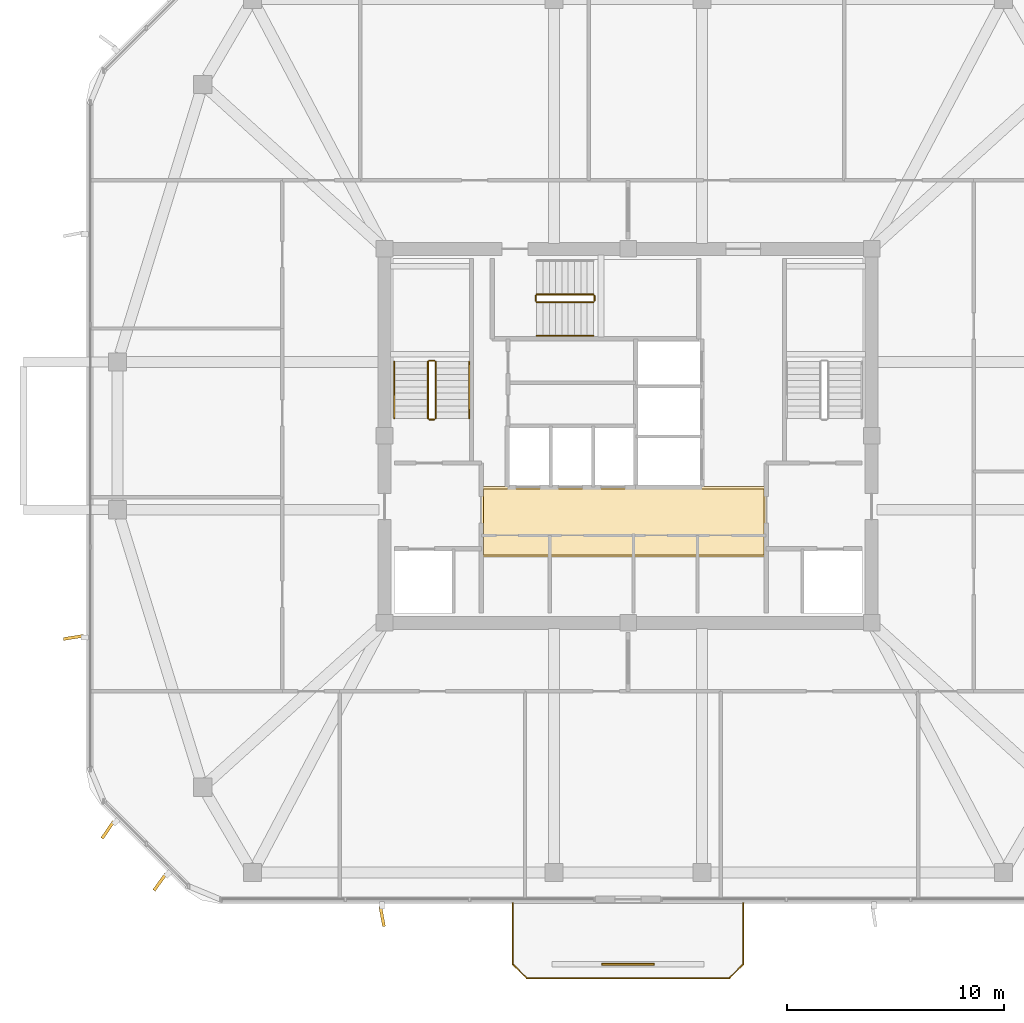
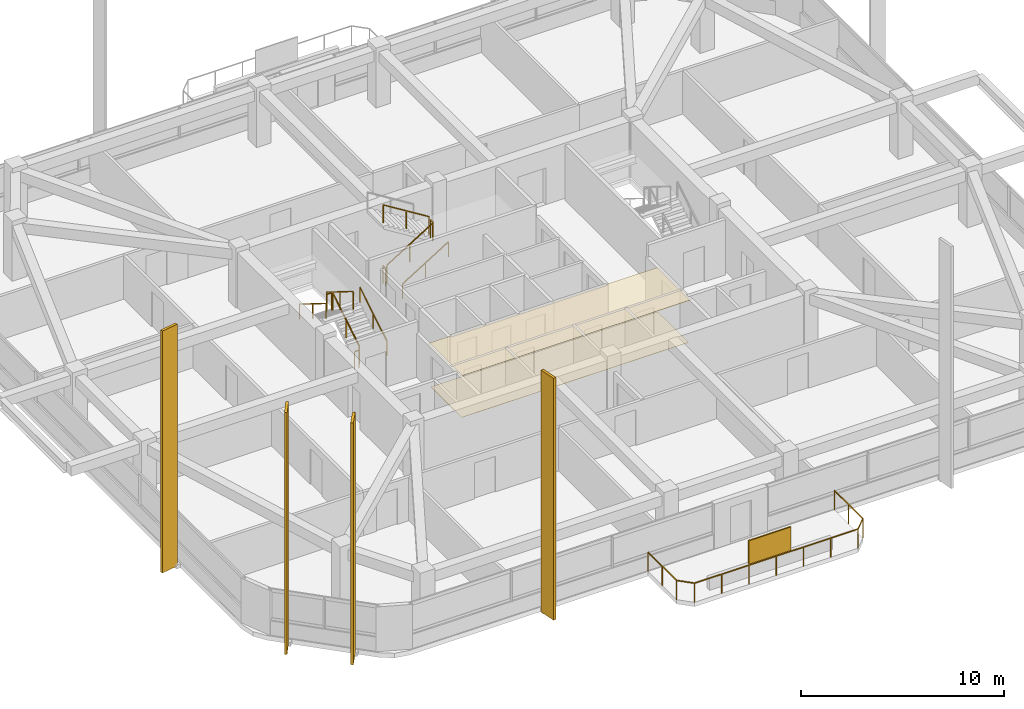
# One storey, part 10 of 12: 12 railings, 5 shading devices, 2 coverings.
"""IFC4 building model written with IfcOpenShell, lengths in metres."""

from ifc_helpers import new_model, si_unit, derived_unit, direction, frame, origin, origin_2d, place, context, subcontext, project, spatial, polyline, rectangle, outline, extrude, material, layer, layer_set, type_object, element, save


model = new_model("IFC4")

# Units and contexts
model_context = context("Model", 3, precision=1e-05, world=origin(), true_north=direction((0.0, 1.0)))
body_context = subcontext(model_context, "Body", "Model", "MODEL_VIEW")
ifc_project = project(units=[si_unit("LENGTHUNIT", "METRE"), si_unit("AREAUNIT", "SQUARE_METRE"), si_unit("VOLUMEUNIT", "CUBIC_METRE"), si_unit("PLANEANGLEUNIT", "RADIAN"), si_unit("MASSUNIT", "GRAM", prefix="KILO"), derived_unit("THERMALTRANSMITTANCEUNIT", [(si_unit("POWERUNIT", "WATT"), 1), (si_unit("LENGTHUNIT", "METRE"), -2), (si_unit("THERMODYNAMICTEMPERATUREUNIT", "KELVIN"), -1)])], contexts=[model_context])

# Site, building, storey
site_placement = place(None, origin())
site = spatial("IfcSite", under=ifc_project, at=site_placement, CompositionType="ELEMENT")
building_placement = place(site_placement, origin())
building = spatial("IfcBuilding", under=site, at=building_placement, Name="Koralith Skygarden Medical Center", CompositionType="ELEMENT")
storey_placement = place(building_placement, frame((0.0, 0.0, 268.02001953125)))
storey = spatial("IfcBuildingStorey", under=building, at=storey_placement, Name="L69", CompositionType="ELEMENT", Elevation=268.02001953125)

# Covering
ifc_material_1 = material(Name="Acoustic Mineral Tile")
ifc_layer_1 = layer(ifc_material_1, 0.02001953125)
ifc_layer_set_1 = layer_set([ifc_layer_1], Name="Acoustic Mineral Tile")
covering_type_1 = type_object("IfcCoveringType", Name="Acoustic Hygienic Mineral Ceiling 20", PredefinedType="CEILING", material=ifc_layer_set_1)
covering_1_placement = place(storey_placement, frame((0.0, 0.0, 2.5849609375)))
element("IfcCovering", 1, at=covering_1_placement, inside=storey, type_object=covering_type_1, Name="L69 Core Lobby Acoustic Ceiling", PredefinedType="CEILING", context=body_context, shape_type="SweptSolid", body=[
    extrude(outline(polyline([(30.25, 20.320068359375), (43.35009765625, 20.320068359375), (43.35009765625, 23.56005859375), (30.25, 23.56005859375), (30.25, 20.320068359375)])), origin(), (0.0, 0.0, 1.0), 0.02001953125),
])

# Shading devices
ifc_material_2 = material(Name="Aluminium 6063-T6", Category="aluminium")
shading_device_type_1 = type_object("IfcShadingDeviceType", Name="Limestone-Clad Solar Storm Fin 950", PredefinedType="USERDEFINED", material=ifc_material_2)
for number, where, z_axis, x_axis, name in (
    (2, (25.68994140625, 3.804931640625, -0.2001953125), (0.0, 0.0, 1.0), (0.18455175729, -0.982822796277, 0.0), "L69 S Harmonic Solar Storm Fin 1"),
    (3, (11.5048828125, 16.6298828125, -0.2001953125), (0.0, 0.0, 1.0), (-0.987375131968, -0.158399333239, 0.0), "L69 W Harmonic Solar Storm Fin 2"),
    (4, (13.080078125, 7.778076171875, -0.2001953125), (0.0, 0.0, 1.0), (-0.564462864892, -0.825458463012, 0.0), "L69 SW Harmonic Solar Storm Fin 1"),
    (5, (15.47802734375, 5.3798828125, -0.2001953125), (0.0, 0.0, 1.0), (-0.586174408721, -0.810184894058, 0.0), "L69 SW Harmonic Solar Storm Fin 2"),
):
    element("IfcShadingDevice", number, at=place(storey_placement, frame(where, z_axis=z_axis, x_axis=x_axis)), inside=storey, type_object=shading_device_type_1, Name=name, ObjectType="SOLAR FIN", PredefinedType="USERDEFINED", context=body_context, shape_type="SweptSolid", body=[
        extrude(rectangle(XDim=0.949951171875, YDim=0.139892578125, at=origin_2d()), origin(), (0.0, 0.0, 1.0), 14.550048828125),
    ])

# Railing
ifc_material_3 = material(Name="Steel ASTM A500 Grade C", Category="steel")
railing_type_1 = type_object("IfcRailingType", Name="Outdoor Terrace & Balcony Safety Guardrail 1180", PredefinedType="GUARDRAIL", material=ifc_material_3)
railing_1_placement = place(storey_placement, frame((31.699951171875, 4.39990234375, 0.0)))
element("IfcRailing", 6, at=railing_1_placement, inside=storey, type_object=railing_type_1, Name="L69 S Balcony Perimeter Guardrail", PredefinedType="GUARDRAIL", context=body_context, shape_type="SweptSolid", body=[
    extrude(rectangle(XDim=0.050048828125, YDim=0.050048828125, at=origin_2d()), frame((0.0, -0.001953125, 1.15478515625), z_axis=(0.0, -1.0, 0.0), x_axis=(1.0, 0.0, 0.0)), (0.0, 0.0, 1.0), 2.7958984375),
    extrude(rectangle(XDim=0.050048828125, YDim=0.050048828125, at=origin_2d()), frame((0.00146484375, -2.80126953125, 1.15478515625), z_axis=(0.707106781187, -0.707106781187, 0.0), x_axis=(0.707106781187, 0.707106781187, 0.0)), (0.0, 0.0, 1.0), 0.91552734375),
    extrude(rectangle(XDim=0.050048828125, YDim=0.050048828125, at=origin_2d()), frame((0.652099609375, -3.449951171875, 1.15478515625), z_axis=(1.0, 0.0, 0.0), x_axis=(0.0, 1.0, 0.0)), (0.0, 0.0, 1.0), 9.2958984375),
    extrude(rectangle(XDim=0.050048828125, YDim=0.050048828125, at=origin_2d()), frame((9.951416015625, -3.448486328125, 1.15478515625), z_axis=(0.707106781187, 0.707106781187, 0.0), x_axis=(-0.707106781187, 0.707106781187, 0.0)), (0.0, 0.0, 1.0), 0.91552734375),
    extrude(rectangle(XDim=0.050048828125, YDim=0.050048828125, at=origin_2d()), frame((10.60009765625, -2.7978515625, 1.15478515625), z_axis=(0.0, 1.0, 0.0), x_axis=(-1.0, 0.0, 0.0)), (0.0, 0.0, 1.0), 2.7958984375),
    extrude(rectangle(XDim=0.0419921875, YDim=0.0419921875, at=origin_2d()), origin(), (0.0, 0.0, 1.0), 1.1279296875),
    extrude(rectangle(XDim=0.0419921875, YDim=0.0419921875, at=origin_2d()), frame((0.0, -1.39990234375, 0.0)), (0.0, 0.0, 1.0), 1.1279296875),
    extrude(rectangle(XDim=0.0419921875, YDim=0.0419921875, at=origin_2d()), frame((0.0, -2.7998046875, 0.0)), (0.0, 0.0, 1.0), 1.1279296875),
    extrude(rectangle(XDim=0.0419921875, YDim=0.0419921875, at=origin_2d()), frame((0.650146484375, -3.449951171875, 0.0)), (0.0, 0.0, 1.0), 1.1279296875),
    extrude(rectangle(XDim=0.0419921875, YDim=0.0419921875, at=origin_2d()), frame((2.2001953125, -3.449951171875, 0.0)), (0.0, 0.0, 1.0), 1.1279296875),
    extrude(rectangle(XDim=0.0419921875, YDim=0.0419921875, at=origin_2d()), frame((3.75, -3.449951171875, 0.0)), (0.0, 0.0, 1.0), 1.1279296875),
    extrude(rectangle(XDim=0.0419921875, YDim=0.0419921875, at=origin_2d()), frame((5.300048828125, -3.449951171875, 0.0)), (0.0, 0.0, 1.0), 1.1279296875),
    extrude(rectangle(XDim=0.0419921875, YDim=0.0419921875, at=origin_2d()), frame((6.85009765625, -3.449951171875, 0.0)), (0.0, 0.0, 1.0), 1.1279296875),
    extrude(rectangle(XDim=0.0419921875, YDim=0.0419921875, at=origin_2d()), frame((8.39990234375, -3.449951171875, 0.0)), (0.0, 0.0, 1.0), 1.1279296875),
    extrude(rectangle(XDim=0.0419921875, YDim=0.0419921875, at=origin_2d()), frame((9.949951171875, -3.449951171875, 0.0)), (0.0, 0.0, 1.0), 1.1279296875),
    extrude(rectangle(XDim=0.0419921875, YDim=0.0419921875, at=origin_2d()), frame((10.60009765625, -2.7998046875, 0.0)), (0.0, 0.0, 1.0), 1.1279296875),
    extrude(rectangle(XDim=0.0419921875, YDim=0.0419921875, at=origin_2d()), frame((10.60009765625, -1.39990234375, 0.0)), (0.0, 0.0, 1.0), 1.1279296875),
    extrude(rectangle(XDim=0.0419921875, YDim=0.0419921875, at=origin_2d()), frame((10.60009765625, 0.0, 0.0)), (0.0, 0.0, 1.0), 1.1279296875),
])

# Shading device
ifc_layer_2 = layer(ifc_material_2, 0.080078125)
ifc_layer_set_2 = layer_set([ifc_layer_2], Name="Aluminium 6063-T6")
shading_device_type_2 = type_object("IfcShadingDeviceType", Name="Perforated Biophilic Balcony Trellis Screen", PredefinedType="USERDEFINED", material=ifc_layer_set_2)
shading_device_placement = place(storey_placement, frame((37.0, 1.60009765625, 0.719970703125), z_axis=(0.0, 0.0, 1.0), x_axis=(1.0, 0.0, 0.0)))
element("IfcShadingDevice", 7, at=shading_device_placement, inside=storey, type_object=shading_device_type_2, Name="L69 S Biophilic Balcony Trellis Screen", ObjectType="HURRICANE SCREEN", PredefinedType="USERDEFINED", context=body_context, shape_type="SweptSolid", body=[
    extrude(rectangle(XDim=2.39990234375, YDim=0.080078125, at=origin_2d()), origin(), (0.0, 0.0, 1.0), 1.39990234375),
])

# Covering
ifc_material_4 = material(Name="Medical Terrazzo Flooring")
ifc_layer_3 = layer(ifc_material_4, 0.014892578125)
ifc_layer_set_3 = layer_set([ifc_layer_3], Name="Medical Terrazzo Flooring")
covering_type_2 = type_object("IfcCoveringType", Name="Seamless Antimicrobial Terrazzo Flooring 15", PredefinedType="FLOORING", material=ifc_layer_set_3)
covering_2_placement = place(storey_placement, origin())
element("IfcCovering", 8, at=covering_2_placement, inside=storey, type_object=covering_type_2, Name="L69 Core Lobby Terrazzo Flooring", PredefinedType="FLOORING", context=body_context, shape_type="SweptSolid", body=[
    extrude(outline(polyline([(30.35009765625, 20.419921875), (43.25, 20.419921875), (43.25, 23.4599609375), (30.35009765625, 23.4599609375), (30.35009765625, 20.419921875)])), origin(), (0.0, 0.0, 1.0), 0.014892578125),
])

# Railings
railing_type_2 = type_object("IfcRailingType", Name="Stair Flight Tubular Handrail 920", PredefinedType="HANDRAIL", material=ifc_material_3)
railing_2_placement = place(storey_placement, frame((29.699951171875, 26.699951171875, 0.179931640625)))
element("IfcRailing", 9, at=railing_2_placement, inside=storey, type_object=railing_type_2, Name="L69 ST1 stair handrail 1", PredefinedType="HANDRAIL", context=body_context, shape_type="SweptSolid", body=[
    extrude(rectangle(XDim=0.050048828125, YDim=0.050048828125, at=origin_2d()), frame((0.0, 0.001708984375, 0.89599609375), z_axis=(0.0, 0.849632798774, 0.527374731332), x_axis=(-1.0, 0.0, 0.0)), (0.0, 0.0, 1.0), 3.068115234375),
    extrude(rectangle(XDim=0.0419921875, YDim=0.0419921875, at=origin_2d()), origin(), (0.0, 0.0, 1.0), 0.867919921875),
    extrude(rectangle(XDim=0.0419921875, YDim=0.0419921875, at=origin_2d()), frame((0.0, 1.30517578125, 0.81005859375)), (0.0, 0.0, 1.0), 0.867919921875),
    extrude(rectangle(XDim=0.0419921875, YDim=0.0419921875, at=origin_2d()), frame((0.0, 2.610107421875, 1.6201171875)), (0.0, 0.0, 1.0), 0.867919921875),
])
railing_3_placement = place(storey_placement, frame((26.25, 29.31005859375, 1.97998046875)))
element("IfcRailing", 10, at=railing_3_placement, inside=storey, type_object=railing_type_2, Name="L69 ST1 stair handrail 2", PredefinedType="HANDRAIL", context=body_context, shape_type="SweptSolid", body=[
    extrude(rectangle(XDim=0.050048828125, YDim=0.050048828125, at=origin_2d()), frame((0.0, -0.001708984375, 0.89599609375), z_axis=(0.0, -0.849632798774, 0.527374731332), x_axis=(1.0, 0.0, 0.0)), (0.0, 0.0, 1.0), 3.068115234375),
    extrude(rectangle(XDim=0.0419921875, YDim=0.0419921875, at=origin_2d()), origin(), (0.0, 0.0, 1.0), 0.867919921875),
    extrude(rectangle(XDim=0.0419921875, YDim=0.0419921875, at=origin_2d()), frame((0.0, -1.30517578125, 0.81005859375)), (0.0, 0.0, 1.0), 0.867919921875),
    extrude(rectangle(XDim=0.0419921875, YDim=0.0419921875, at=origin_2d()), frame((0.0, -2.610107421875, 1.6201171875)), (0.0, 0.0, 1.0), 0.867919921875),
])
railing_4_placement = place(storey_placement, frame((32.800048828125, 30.5, 0.179931640625)))
element("IfcRailing", 11, at=railing_4_placement, inside=storey, type_object=railing_type_2, Name="L69 ST3 stair handrail 1", PredefinedType="HANDRAIL", context=body_context, shape_type="SweptSolid", body=[
    extrude(rectangle(XDim=0.050048828125, YDim=0.050048828125, at=origin_2d()), frame((0.001708984375, 0.0, 0.89599609375), z_axis=(0.849610693518, 0.0, 0.52741034258), x_axis=(0.0, 1.0, 0.0)), (0.0, 0.0, 1.0), 3.06787109375),
    extrude(rectangle(XDim=0.0419921875, YDim=0.0419921875, at=origin_2d()), origin(), (0.0, 0.0, 1.0), 0.867919921875),
    extrude(rectangle(XDim=0.0419921875, YDim=0.0419921875, at=origin_2d()), frame((1.304931640625, 0.0, 0.81005859375)), (0.0, 0.0, 1.0), 0.867919921875),
    extrude(rectangle(XDim=0.0419921875, YDim=0.0419921875, at=origin_2d()), frame((2.60986328125, 0.0, 1.6201171875)), (0.0, 0.0, 1.0), 0.867919921875),
])
railing_type_3 = type_object("IfcRailingType", Name="Stair Well Safety Guardrail 1100", PredefinedType="GUARDRAIL", material=ifc_material_3)
railing_5_placement = place(storey_placement, frame((28.14990234375, 26.699951171875, 0.179931640625)))
element("IfcRailing", 12, at=railing_5_placement, inside=storey, type_object=railing_type_3, Name="L69 ST1 stair guard 1", PredefinedType="GUARDRAIL", context=body_context, shape_type="SweptSolid", body=[
    extrude(rectangle(XDim=0.050048828125, YDim=0.050048828125, at=origin_2d()), frame((0.0, 0.001708984375, 1.076171875), z_axis=(0.0, 0.849632798774, 0.527374731332), x_axis=(-1.0, 0.0, 0.0)), (0.0, 0.0, 1.0), 3.068115234375),
    extrude(rectangle(XDim=0.0419921875, YDim=0.0419921875, at=origin_2d()), origin(), (0.0, 0.0, 1.0), 1.048095703125),
    extrude(rectangle(XDim=0.0419921875, YDim=0.0419921875, at=origin_2d()), frame((0.0, 1.30517578125, 0.81005859375)), (0.0, 0.0, 1.0), 1.048095703125),
    extrude(rectangle(XDim=0.0419921875, YDim=0.0419921875, at=origin_2d()), frame((0.0, 2.610107421875, 1.6201171875)), (0.0, 0.0, 1.0), 1.048095703125),
])
railing_6_placement = place(storey_placement, frame((28.10009765625, 29.360107421875, 1.800048828125)))
element("IfcRailing", 13, at=railing_6_placement, inside=storey, type_object=railing_type_3, Name="L69 ST1 stair guard 2", PredefinedType="GUARDRAIL", context=body_context, shape_type="SweptSolid", body=[
    extrude(rectangle(XDim=0.050048828125, YDim=0.050048828125, at=origin_2d()), frame((-0.001953125, 0.0, 1.0751953125), z_axis=(-1.0, 0.0, 0.0), x_axis=(0.0, -1.0, 0.0)), (0.0, 0.0, 1.0), 0.24609375),
    extrude(rectangle(XDim=0.0419921875, YDim=0.0419921875, at=origin_2d()), origin(), (0.0, 0.0, 1.0), 1.048095703125),
    extrude(rectangle(XDim=0.0419921875, YDim=0.0419921875, at=origin_2d()), frame((-0.25, 0.0, 0.0)), (0.0, 0.0, 1.0), 1.048095703125),
])
railing_7_placement = place(storey_placement, frame((27.800048828125, 29.31005859375, 1.97998046875)))
element("IfcRailing", 14, at=railing_7_placement, inside=storey, type_object=railing_type_3, Name="L69 ST1 stair guard 3", PredefinedType="GUARDRAIL", context=body_context, shape_type="SweptSolid", body=[
    extrude(rectangle(XDim=0.050048828125, YDim=0.050048828125, at=origin_2d()), frame((0.0, -0.001708984375, 1.076171875), z_axis=(0.0, -0.849632798774, 0.527374731332), x_axis=(1.0, 0.0, 0.0)), (0.0, 0.0, 1.0), 3.068115234375),
    extrude(rectangle(XDim=0.0419921875, YDim=0.0419921875, at=origin_2d()), origin(), (0.0, 0.0, 1.0), 1.048095703125),
    extrude(rectangle(XDim=0.0419921875, YDim=0.0419921875, at=origin_2d()), frame((0.0, -1.30517578125, 0.81005859375)), (0.0, 0.0, 1.0), 1.048095703125),
    extrude(rectangle(XDim=0.0419921875, YDim=0.0419921875, at=origin_2d()), frame((0.0, -2.610107421875, 1.6201171875)), (0.0, 0.0, 1.0), 1.048095703125),
])
railing_8_placement = place(storey_placement, frame((28.10009765625, 26.64990234375, 0.0)))
element("IfcRailing", 15, at=railing_8_placement, inside=storey, type_object=railing_type_3, Name="L69 ST1 stair guard 4", PredefinedType="GUARDRAIL", context=body_context, shape_type="SweptSolid", body=[
    extrude(rectangle(XDim=0.050048828125, YDim=0.050048828125, at=origin_2d()), frame((-0.001953125, 0.0, 1.0751953125), z_axis=(-1.0, 0.0, 0.0), x_axis=(0.0, -1.0, 0.0)), (0.0, 0.0, 1.0), 0.24609375),
    extrude(rectangle(XDim=0.0419921875, YDim=0.0419921875, at=origin_2d()), origin(), (0.0, 0.0, 1.0), 1.048095703125),
    extrude(rectangle(XDim=0.0419921875, YDim=0.0419921875, at=origin_2d()), frame((-0.25, 0.0, 0.0)), (0.0, 0.0, 1.0), 1.048095703125),
])
railing_9_placement = place(storey_placement, frame((32.800048828125, 32.050048828125, 0.179931640625)))
element("IfcRailing", 16, at=railing_9_placement, inside=storey, type_object=railing_type_3, Name="L69 ST3 stair guard 1", PredefinedType="GUARDRAIL", context=body_context, shape_type="SweptSolid", body=[
    extrude(rectangle(XDim=0.050048828125, YDim=0.050048828125, at=origin_2d()), frame((0.001708984375, 0.0, 1.076171875), z_axis=(0.849610693518, 0.0, 0.52741034258), x_axis=(0.0, 1.0, 0.0)), (0.0, 0.0, 1.0), 3.06787109375),
    extrude(rectangle(XDim=0.0419921875, YDim=0.0419921875, at=origin_2d()), origin(), (0.0, 0.0, 1.0), 1.048095703125),
    extrude(rectangle(XDim=0.0419921875, YDim=0.0419921875, at=origin_2d()), frame((1.304931640625, 0.0, 0.81005859375)), (0.0, 0.0, 1.0), 1.048095703125),
    extrude(rectangle(XDim=0.0419921875, YDim=0.0419921875, at=origin_2d()), frame((2.60986328125, 0.0, 1.6201171875)), (0.0, 0.0, 1.0), 1.048095703125),
])
railing_10_placement = place(storey_placement, frame((35.4599609375, 32.10009765625, 1.800048828125)))
element("IfcRailing", 17, at=railing_10_placement, inside=storey, type_object=railing_type_3, Name="L69 ST3 stair guard 2", PredefinedType="GUARDRAIL", context=body_context, shape_type="SweptSolid", body=[
    extrude(rectangle(XDim=0.050048828125, YDim=0.050048828125, at=origin_2d()), frame((0.0, 0.001953125, 1.0751953125), z_axis=(0.0, 1.0, 0.0), x_axis=(-1.0, 0.0, 0.0)), (0.0, 0.0, 1.0), 0.24609375),
    extrude(rectangle(XDim=0.0419921875, YDim=0.0419921875, at=origin_2d()), origin(), (0.0, 0.0, 1.0), 1.048095703125),
    extrude(rectangle(XDim=0.0419921875, YDim=0.0419921875, at=origin_2d()), frame((0.0, 0.25, 0.0)), (0.0, 0.0, 1.0), 1.048095703125),
])
railing_11_placement = place(storey_placement, frame((35.409912109375, 32.39990234375, 1.97998046875)))
element("IfcRailing", 18, at=railing_11_placement, inside=storey, type_object=railing_type_3, Name="L69 ST3 stair guard 3", PredefinedType="GUARDRAIL", context=body_context, shape_type="SweptSolid", body=[
    extrude(rectangle(XDim=0.050048828125, YDim=0.050048828125, at=origin_2d()), frame((-0.001708984375, 0.0, 1.076171875), z_axis=(-0.849610693518, 0.0, 0.52741034258), x_axis=(0.0, -1.0, 0.0)), (0.0, 0.0, 1.0), 3.06787109375),
    extrude(rectangle(XDim=0.0419921875, YDim=0.0419921875, at=origin_2d()), origin(), (0.0, 0.0, 1.0), 1.048095703125),
    extrude(rectangle(XDim=0.0419921875, YDim=0.0419921875, at=origin_2d()), frame((-1.304931640625, 0.0, 0.81005859375)), (0.0, 0.0, 1.0), 1.048095703125),
    extrude(rectangle(XDim=0.0419921875, YDim=0.0419921875, at=origin_2d()), frame((-2.60986328125, 0.0, 1.6201171875)), (0.0, 0.0, 1.0), 1.048095703125),
])
railing_12_placement = place(storey_placement, frame((32.75, 32.10009765625, 0.0)))
element("IfcRailing", 19, at=railing_12_placement, inside=storey, type_object=railing_type_3, Name="L69 ST3 stair guard 4", PredefinedType="GUARDRAIL", context=body_context, shape_type="SweptSolid", body=[
    extrude(rectangle(XDim=0.050048828125, YDim=0.050048828125, at=origin_2d()), frame((0.0, 0.001953125, 1.0751953125), z_axis=(0.0, 1.0, 0.0), x_axis=(-1.0, 0.0, 0.0)), (0.0, 0.0, 1.0), 0.24609375),
    extrude(rectangle(XDim=0.0419921875, YDim=0.0419921875, at=origin_2d()), origin(), (0.0, 0.0, 1.0), 1.048095703125),
    extrude(rectangle(XDim=0.0419921875, YDim=0.0419921875, at=origin_2d()), frame((0.0, 0.25, 0.0)), (0.0, 0.0, 1.0), 1.048095703125),
])

save(model, "model.ifc")
